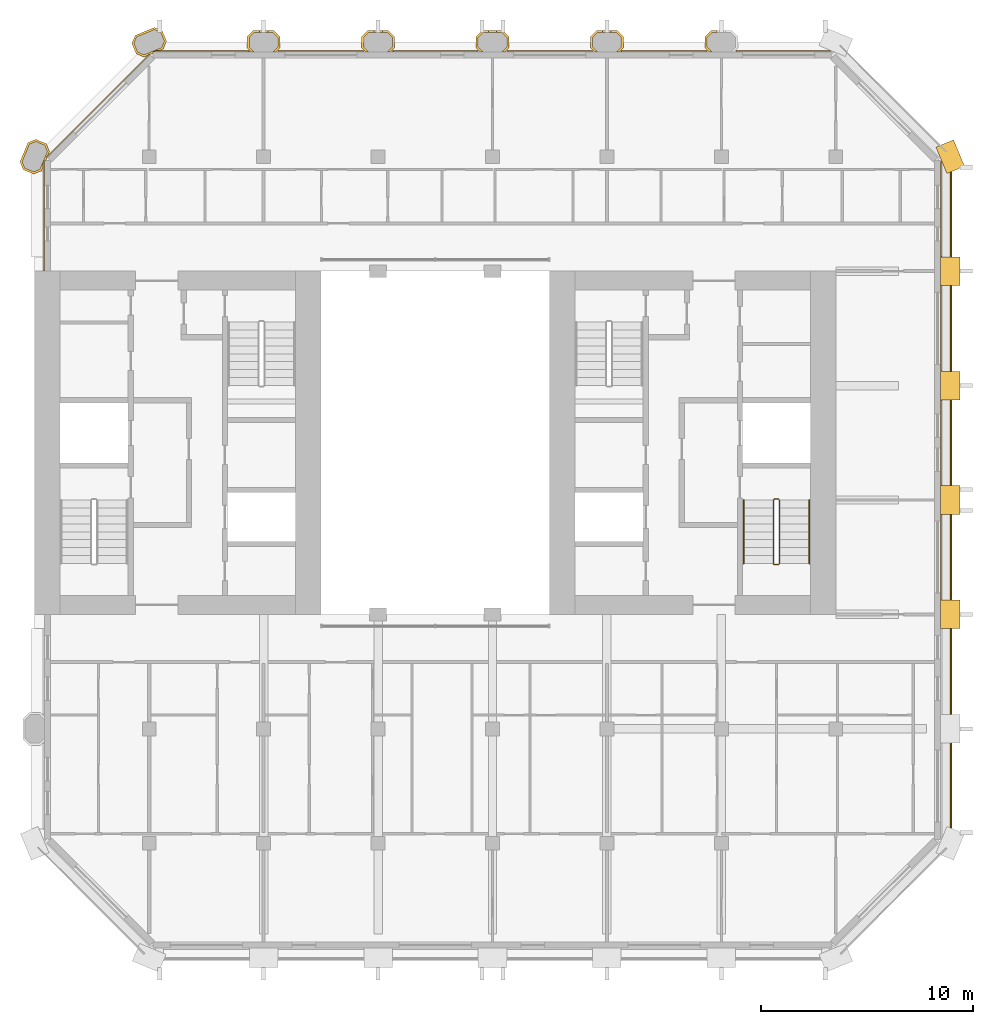
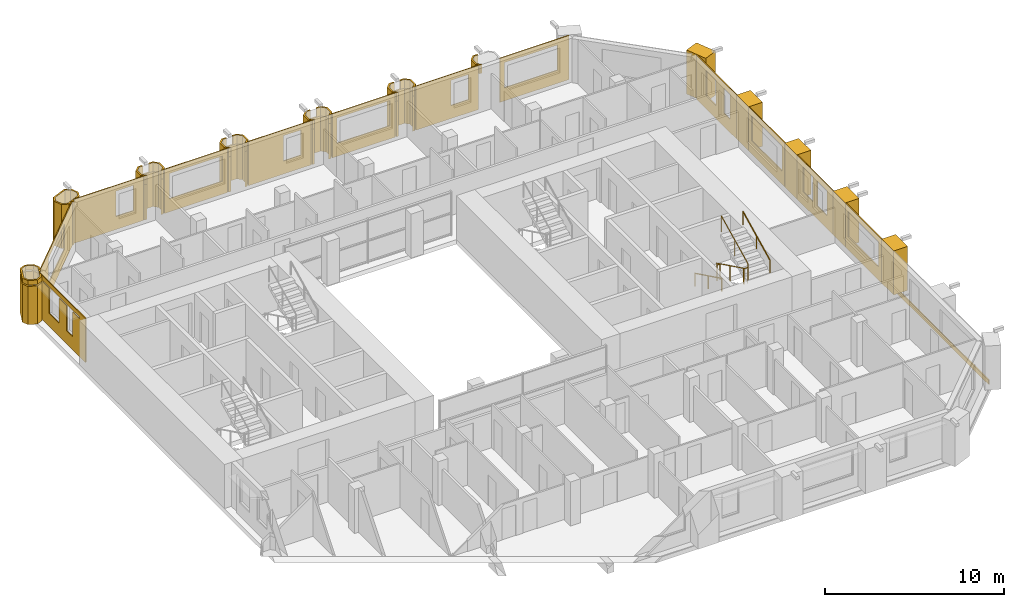
# One storey, part 13 of 14: 34 coverings, 3 railings.
"""IFC4 building model written with IfcOpenShell, lengths in metres."""

from ifc_helpers import new_model, si_unit, direction, frame, frame_2d, origin, origin_2d, place, context, subcontext, project, spatial, polyline, rectangle, circle, outline, extrude, material, layer, layer_set, type_object, element, save


model = new_model("IFC4")

# Units and contexts
model_context = context("Model", 3, precision=1e-05, world=origin(), true_north=direction((0.0, 1.0)))
body_context = subcontext(model_context, "Body", "Model", "MODEL_VIEW")
ifc_project = project(units=[si_unit("LENGTHUNIT", "METRE"), si_unit("AREAUNIT", "SQUARE_METRE"), si_unit("VOLUMEUNIT", "CUBIC_METRE"), si_unit("PLANEANGLEUNIT", "RADIAN"), si_unit("MASSUNIT", "GRAM", prefix="KILO")], contexts=[model_context])

# Site, building, storey
site_placement = place(None, origin())
site = spatial("IfcSite", under=ifc_project, at=site_placement, CompositionType="ELEMENT")
building_placement = place(site_placement, origin())
building = spatial("IfcBuilding", under=site, at=building_placement, Name="Tabaq Tower and Sports Hall", CompositionType="ELEMENT")
storey_placement = place(building_placement, frame((0.0, 0.0, 285.10009765625)))
storey = spatial("IfcBuildingStorey", under=building, at=storey_placement, Name="L70", CompositionType="ELEMENT", Elevation=285.10009765625)

# Coverings
ifc_material_1 = material(Name="Precast concrete C60/75", Category="concrete")
ifc_layer_1 = layer(ifc_material_1, 0.10009765625)
ifc_layer_set_1 = layer_set([ifc_layer_1], Name="Column cladding 100")
covering_type_1 = type_object("IfcCoveringType", Name="Column cladding 100", PredefinedType="CLADDING", material=ifc_layer_set_1)
covering_1_placement = place(storey_placement, origin())
element("IfcCovering", 1, at=covering_1_placement, inside=storey, type_object=covering_type_1, Name="Column cladding L70 PC-2H-R1", PredefinedType="CLADDING", context=body_context, shape_type="SweptSolid", body=[
    extrude(outline(polyline([(4.857421875, 37.186279296875), (4.7041015625, 37.556396484375), (5.080078125, 38.46435546875), (5.450439453125, 38.61767578125), (5.9423828125, 38.413818359375), (6.095947265625, 38.04345703125), (6.026123046875, 37.875), (5.9501953125, 37.799072265625), (5.9814453125, 37.767578125), (5.91796875, 37.614013671875), (5.849609375, 37.614013671875), (5.849609375, 37.55712890625), (5.789794921875, 37.55712890625), (5.789794921875, 37.304443359375), (5.7197265625, 37.1357421875), (5.349609375, 36.982421875), (4.857421875, 37.186279296875)]), holes=[polyline([(5.866455078125, 38.337646484375), (5.450439453125, 38.510009765625), (5.15625, 38.38818359375), (4.811767578125, 37.556396484375), (4.93359375, 37.26220703125), (5.349609375, 37.08984375), (5.643798828125, 37.2119140625), (5.98828125, 38.04345703125), (5.866455078125, 38.337646484375)])]), origin(), (0.0, 0.0, 1.0), 2.599853515625),
])
covering_2_placement = place(storey_placement, frame((0.0, 0.0, 2.699951171875)))
element("IfcCovering", 2, at=covering_2_placement, inside=storey, type_object=covering_type_1, Name="Column cladding L70 PC-2H-R1 2", PredefinedType="CLADDING", context=body_context, shape_type="SweptSolid", body=[
    extrude(outline(polyline([(4.857421875, 37.186279296875), (4.7041015625, 37.556396484375), (5.080078125, 38.46435546875), (5.450439453125, 38.61767578125), (5.9423828125, 38.413818359375), (6.095947265625, 38.04345703125), (6.026123046875, 37.875), (5.9501953125, 37.799072265625), (5.9814453125, 37.767578125), (5.91796875, 37.614013671875), (5.849609375, 37.614013671875), (5.849609375, 37.55712890625), (5.789794921875, 37.55712890625), (5.789794921875, 37.304443359375), (5.7197265625, 37.1357421875), (5.349609375, 36.982421875), (4.857421875, 37.186279296875)]), holes=[polyline([(5.866455078125, 38.337646484375), (5.450439453125, 38.510009765625), (5.15625, 38.38818359375), (4.811767578125, 37.556396484375), (4.93359375, 37.26220703125), (5.349609375, 37.08984375), (5.643798828125, 37.2119140625), (5.98828125, 38.04345703125), (5.866455078125, 38.337646484375)])]), origin(), (0.0, 0.0, 1.0), 0.300048828125),
])
covering_3_placement = place(storey_placement, origin())
element("IfcCovering", 3, at=covering_3_placement, inside=storey, type_object=covering_type_1, Name="Column cladding L70 PC-3I-R1", PredefinedType="CLADDING", context=body_context, shape_type="SweptSolid", body=[
    extrude(outline(polyline([(9.982421875, 43.149658203125), (10.1357421875, 43.519775390625), (11.04345703125, 43.895751953125), (11.413818359375, 43.742431640625), (11.61767578125, 43.25048828125), (11.46435546875, 42.880126953125), (11.295654296875, 42.810302734375), (11.04296875, 42.810302734375), (11.04296875, 42.750244140625), (10.986083984375, 42.750244140625), (10.986083984375, 42.68212890625), (10.83251953125, 42.618408203125), (10.801025390625, 42.64990234375), (10.72509765625, 42.573974609375), (10.556396484375, 42.504150390625), (10.186279296875, 42.657470703125), (9.982421875, 43.149658203125)]), holes=[polyline([(11.510009765625, 43.25048828125), (11.337646484375, 43.66650390625), (11.04345703125, 43.788330078125), (10.2119140625, 43.44384765625), (10.08984375, 43.149658203125), (10.26220703125, 42.733642578125), (10.556396484375, 42.61181640625), (11.38818359375, 42.956298828125), (11.510009765625, 43.25048828125)])]), origin(), (0.0, 0.0, 1.0), 3.0),
])
covering_4_placement = place(storey_placement, origin())
element("IfcCovering", 4, at=covering_4_placement, inside=storey, type_object=covering_type_1, Name="Column cladding L70 PC-4I-R1", PredefinedType="CLADDING", context=body_context, shape_type="SweptSolid", body=[
    extrude(outline(polyline([(15.42529296875, 43.46630859375), (15.708740234375, 43.749755859375), (16.69140625, 43.749755859375), (16.974609375, 43.46630859375), (16.974609375, 42.93359375), (16.791259765625, 42.750244140625), (16.650634765625, 42.750244140625), (16.875244140625, 42.974853515625), (16.875244140625, 43.425048828125), (16.650146484375, 43.650390625), (15.749755859375, 43.650390625), (15.524658203125, 43.425048828125), (15.524658203125, 42.974853515625), (15.749267578125, 42.750244140625), (15.608642578125, 42.750244140625), (15.42529296875, 42.93359375), (15.42529296875, 43.46630859375)])), origin(), (0.0, 0.0, 1.0), 2.39990234375),
])
covering_5_placement = place(storey_placement, frame((0.0, 0.0, 2.39990234375)))
element("IfcCovering", 5, at=covering_5_placement, inside=storey, type_object=covering_type_1, Name="Column cladding L70 PC-4I-R1 head", PredefinedType="CLADDING", context=body_context, shape_type="SweptSolid", body=[
    extrude(outline(polyline([(16.69140625, 43.749755859375), (16.974609375, 43.46630859375), (16.974609375, 42.93359375), (16.791259765625, 42.750244140625), (16.650634765625, 42.750244140625), (16.875244140625, 42.974853515625), (16.875244140625, 43.425048828125), (16.650146484375, 43.650390625), (16.400390625, 43.650390625), (16.400390625, 43.749755859375), (16.69140625, 43.749755859375)])), origin(), (0.0, 0.0, 1.0), 0.60009765625),
])
covering_6_placement = place(storey_placement, frame((0.0, 0.0, 2.39990234375)))
element("IfcCovering", 6, at=covering_6_placement, inside=storey, type_object=covering_type_1, Name="Column cladding L70 PC-4I-R1 head 2", PredefinedType="CLADDING", context=body_context, shape_type="SweptSolid", body=[
    extrude(outline(polyline([(15.708740234375, 43.749755859375), (15.999755859375, 43.749755859375), (15.999755859375, 43.650390625), (15.749755859375, 43.650390625), (15.524658203125, 43.425048828125), (15.524658203125, 42.974853515625), (15.749267578125, 42.750244140625), (15.608642578125, 42.750244140625), (15.42529296875, 42.93359375), (15.42529296875, 43.46630859375), (15.708740234375, 43.749755859375)])), origin(), (0.0, 0.0, 1.0), 0.60009765625),
])
covering_7_placement = place(storey_placement, origin())
element("IfcCovering", 7, at=covering_7_placement, inside=storey, type_object=covering_type_1, Name="Column cladding L70 PC-5I-R1", PredefinedType="CLADDING", context=body_context, shape_type="SweptSolid", body=[
    extrude(outline(polyline([(20.8251953125, 43.46630859375), (21.108642578125, 43.749755859375), (22.09130859375, 43.749755859375), (22.374755859375, 43.46630859375), (22.374755859375, 42.93359375), (22.19140625, 42.750244140625), (22.05078125, 42.750244140625), (22.275390625, 42.974853515625), (22.275390625, 43.425048828125), (22.050048828125, 43.650390625), (21.14990234375, 43.650390625), (20.9248046875, 43.425048828125), (20.9248046875, 42.974853515625), (21.149169921875, 42.750244140625), (21.0087890625, 42.750244140625), (20.8251953125, 42.93359375), (20.8251953125, 43.46630859375)])), origin(), (0.0, 0.0, 1.0), 2.39990234375),
])
covering_8_placement = place(storey_placement, frame((0.0, 0.0, 2.39990234375)))
element("IfcCovering", 8, at=covering_8_placement, inside=storey, type_object=covering_type_1, Name="Column cladding L70 PC-5I-R1 head", PredefinedType="CLADDING", context=body_context, shape_type="SweptSolid", body=[
    extrude(outline(polyline([(22.09130859375, 43.749755859375), (22.374755859375, 43.46630859375), (22.374755859375, 42.93359375), (22.19140625, 42.750244140625), (22.05078125, 42.750244140625), (22.275390625, 42.974853515625), (22.275390625, 43.425048828125), (22.050048828125, 43.650390625), (21.80029296875, 43.650390625), (21.80029296875, 43.749755859375), (22.09130859375, 43.749755859375)])), origin(), (0.0, 0.0, 1.0), 0.60009765625),
])
covering_9_placement = place(storey_placement, frame((0.0, 0.0, 2.39990234375)))
element("IfcCovering", 9, at=covering_9_placement, inside=storey, type_object=covering_type_1, Name="Column cladding L70 PC-5I-R1 head 2", PredefinedType="CLADDING", context=body_context, shape_type="SweptSolid", body=[
    extrude(outline(polyline([(21.108642578125, 43.749755859375), (21.399658203125, 43.749755859375), (21.399658203125, 43.650390625), (21.14990234375, 43.650390625), (20.9248046875, 43.425048828125), (20.9248046875, 42.974853515625), (21.149169921875, 42.750244140625), (21.0087890625, 42.750244140625), (20.8251953125, 42.93359375), (20.8251953125, 43.46630859375), (21.108642578125, 43.749755859375)])), origin(), (0.0, 0.0, 1.0), 0.60009765625),
])
covering_10_placement = place(storey_placement, origin())
element("IfcCovering", 10, at=covering_10_placement, inside=storey, type_object=covering_type_1, Name="Column cladding L70 PC-6I-R1", PredefinedType="CLADDING", context=body_context, shape_type="SweptSolid", body=[
    extrude(outline(polyline([(26.225341796875, 43.46630859375), (26.5087890625, 43.749755859375), (27.4912109375, 43.749755859375), (27.774658203125, 43.46630859375), (27.774658203125, 42.93359375), (27.59130859375, 42.750244140625), (27.45068359375, 42.750244140625), (27.67529296875, 42.974853515625), (27.67529296875, 43.425048828125), (27.4501953125, 43.650390625), (26.5498046875, 43.650390625), (26.32470703125, 43.425048828125), (26.32470703125, 42.974853515625), (26.54931640625, 42.750244140625), (26.40869140625, 42.750244140625), (26.225341796875, 42.93359375), (26.225341796875, 43.46630859375)])), origin(), (0.0, 0.0, 1.0), 2.39990234375),
])
covering_11_placement = place(storey_placement, frame((0.0, 0.0, 2.39990234375)))
element("IfcCovering", 11, at=covering_11_placement, inside=storey, type_object=covering_type_1, Name="Column cladding L70 PC-6I-R1 head", PredefinedType="CLADDING", context=body_context, shape_type="SweptSolid", body=[
    extrude(outline(polyline([(27.4912109375, 43.749755859375), (27.774658203125, 43.46630859375), (27.774658203125, 42.93359375), (27.59130859375, 42.750244140625), (27.45068359375, 42.750244140625), (27.67529296875, 42.974853515625), (27.67529296875, 43.425048828125), (27.4501953125, 43.650390625), (27.2001953125, 43.650390625), (27.2001953125, 43.749755859375), (27.4912109375, 43.749755859375)])), origin(), (0.0, 0.0, 1.0), 0.60009765625),
])
covering_12_placement = place(storey_placement, frame((0.0, 0.0, 2.39990234375)))
element("IfcCovering", 12, at=covering_12_placement, inside=storey, type_object=covering_type_1, Name="Column cladding L70 PC-6I-R1 head 2", PredefinedType="CLADDING", context=body_context, shape_type="SweptSolid", body=[
    extrude(outline(polyline([(26.5087890625, 43.749755859375), (26.7998046875, 43.749755859375), (26.7998046875, 43.650390625), (26.5498046875, 43.650390625), (26.32470703125, 43.425048828125), (26.32470703125, 42.974853515625), (26.54931640625, 42.750244140625), (26.40869140625, 42.750244140625), (26.225341796875, 42.93359375), (26.225341796875, 43.46630859375), (26.5087890625, 43.749755859375)])), origin(), (0.0, 0.0, 1.0), 0.60009765625),
])
covering_13_placement = place(storey_placement, origin())
element("IfcCovering", 13, at=covering_13_placement, inside=storey, type_object=covering_type_1, Name="Column cladding L70 PC-7I-R1", PredefinedType="CLADDING", context=body_context, shape_type="SweptSolid", body=[
    extrude(outline(polyline([(31.625244140625, 43.46630859375), (31.90869140625, 43.749755859375), (32.891357421875, 43.749755859375), (33.1748046875, 43.46630859375), (33.1748046875, 42.93359375), (32.9912109375, 42.750244140625), (32.850830078125, 42.750244140625), (33.0751953125, 42.974853515625), (33.0751953125, 43.425048828125), (32.85009765625, 43.650390625), (31.949951171875, 43.650390625), (31.724609375, 43.425048828125), (31.724609375, 42.974853515625), (31.94921875, 42.750244140625), (31.80859375, 42.750244140625), (31.625244140625, 42.93359375), (31.625244140625, 43.46630859375)])), origin(), (0.0, 0.0, 1.0), 2.39990234375),
])
covering_14_placement = place(storey_placement, frame((0.0, 0.0, 2.39990234375)))
element("IfcCovering", 14, at=covering_14_placement, inside=storey, type_object=covering_type_1, Name="Column cladding L70 PC-7I-R1 head", PredefinedType="CLADDING", context=body_context, shape_type="SweptSolid", body=[
    extrude(outline(polyline([(31.90869140625, 43.749755859375), (32.19970703125, 43.749755859375), (32.19970703125, 43.650390625), (31.949951171875, 43.650390625), (31.724609375, 43.425048828125), (31.724609375, 42.974853515625), (31.94921875, 42.750244140625), (31.80859375, 42.750244140625), (31.625244140625, 42.93359375), (31.625244140625, 43.46630859375), (31.90869140625, 43.749755859375)])), origin(), (0.0, 0.0, 1.0), 0.60009765625),
])
covering_15_placement = place(storey_placement, frame((0.0, 0.0, 2.39990234375)))
element("IfcCovering", 15, at=covering_15_placement, inside=storey, type_object=covering_type_1, Name="Column cladding L70 PC-7I-R1 head 2", PredefinedType="CLADDING", context=body_context, shape_type="SweptSolid", body=[
    extrude(outline(polyline([(32.891357421875, 43.749755859375), (33.1748046875, 43.46630859375), (33.1748046875, 42.93359375), (32.9912109375, 42.750244140625), (32.850830078125, 42.750244140625), (33.0751953125, 42.974853515625), (33.0751953125, 43.425048828125), (32.85009765625, 43.650390625), (32.600341796875, 43.650390625), (32.600341796875, 43.749755859375), (32.891357421875, 43.749755859375)])), origin(), (0.0, 0.0, 1.0), 0.60009765625),
])
covering_16_placement = place(storey_placement, frame((0.0, 0.0, 2.39990234375)))
element("IfcCovering", 16, at=covering_16_placement, inside=storey, type_object=covering_type_1, Name="Column cladding L70 PC-8I-R1 head", PredefinedType="CLADDING", context=body_context, shape_type="SweptSolid", body=[
    extrude(outline(polyline([(37.30859375, 43.749755859375), (37.599609375, 43.749755859375), (37.599609375, 43.650390625), (37.349853515625, 43.650390625), (37.124755859375, 43.425048828125), (37.124755859375, 42.974853515625), (37.349365234375, 42.750244140625), (37.208740234375, 42.750244140625), (37.025390625, 42.93359375), (37.025390625, 43.46630859375), (37.30859375, 43.749755859375)])), origin(), (0.0, 0.0, 1.0), 0.60009765625),
])
ifc_material_2 = material(Name="Precast concrete C60/75", Category="concrete")
ifc_layer_2 = layer(ifc_material_2, 0.06005859375)
ifc_layer_set_2 = layer_set([ifc_layer_2], Name="Edge beam cladding 60")
covering_type_2 = type_object("IfcCoveringType", Name="Edge beam cladding 60", PredefinedType="CLADDING", material=ifc_layer_set_2)
covering_17_placement = place(storey_placement, frame((48.6298828125, 5.698486328125, -0.300048828125), z_axis=(0.0, 0.0, 1.0), x_axis=(0.0, 1.0, 0.0)))
element("IfcCovering", 17, at=covering_17_placement, inside=storey, type_object=covering_type_2, Name="Edge beam cladding L70 3", PredefinedType="CLADDING", context=body_context, shape_type="SweptSolid", body=[
    extrude(rectangle(XDim=31.802978515625, YDim=0.06005859375, at=frame_2d((15.9013671875, 0.0))), origin(), (0.0, 0.0, 1.0), 0.300048828125),
])
ifc_material_3 = material(Name="White precast concrete C60/75", Category="concrete")
covering_type_3 = type_object("IfcCoveringType", Name="Pier cladding hung 1350x900", PredefinedType="CLADDING", material=ifc_material_3)
covering_18_placement = place(storey_placement, frame((48.60009765625, 15.52490234375, 0.0), z_axis=(0.0, 0.0, 1.0), x_axis=(0.0, 1.0, 0.0)))
element("IfcCovering", 18, at=covering_18_placement, inside=storey, type_object=covering_type_3, Name="Hung pier cladding 9/3", PredefinedType="CLADDING", context=body_context, shape_type="SweptSolid", body=[
    extrude(rectangle(XDim=1.35009765625, YDim=0.89990234375, at=frame_2d((0.675048828125, 0.0))), origin(), (0.0, 0.0, 1.0), 3.0),
])
covering_19_placement = place(storey_placement, frame((48.60009765625, 20.925048828125, 0.0), z_axis=(0.0, 0.0, 1.0), x_axis=(0.0, 1.0, 0.0)))
element("IfcCovering", 19, at=covering_19_placement, inside=storey, type_object=covering_type_3, Name="Hung pier cladding 9/4", PredefinedType="CLADDING", context=body_context, shape_type="SweptSolid", body=[
    extrude(rectangle(XDim=1.349853515625, YDim=0.89990234375, at=frame_2d((0.6748046875, 0.0))), origin(), (0.0, 0.0, 1.0), 3.0),
])
covering_20_placement = place(storey_placement, frame((48.60009765625, 26.324951171875, 0.0), z_axis=(0.0, 0.0, 1.0), x_axis=(0.0, 1.0, 0.0)))
element("IfcCovering", 20, at=covering_20_placement, inside=storey, type_object=covering_type_3, Name="Hung pier cladding 9/5", PredefinedType="CLADDING", context=body_context, shape_type="SweptSolid", body=[
    extrude(rectangle(XDim=1.35009765625, YDim=0.89990234375, at=frame_2d((0.675048828125, 0.0))), origin(), (0.0, 0.0, 1.0), 3.0),
])
covering_21_placement = place(storey_placement, frame((48.60009765625, 31.72509765625, 0.0), z_axis=(0.0, 0.0, 1.0), x_axis=(0.0, 1.0, 0.0)))
element("IfcCovering", 21, at=covering_21_placement, inside=storey, type_object=covering_type_3, Name="Hung pier cladding 9/6", PredefinedType="CLADDING", context=body_context, shape_type="SweptSolid", body=[
    extrude(rectangle(XDim=1.349853515625, YDim=0.89990234375, at=frame_2d((0.6748046875, 0.0))), origin(), (0.0, 0.0, 1.0), 3.0),
])
covering_22_placement = place(storey_placement, frame((48.8583984375, 37.17626953125, 0.0), z_axis=(0.0, 0.0, 1.0), x_axis=(-0.382649923473, 0.923893411637, 0.0)))
element("IfcCovering", 22, at=covering_22_placement, inside=storey, type_object=covering_type_3, Name="Hung pier cladding 9/7", PredefinedType="CLADDING", context=body_context, shape_type="SweptSolid", body=[
    extrude(rectangle(XDim=1.35009765625, YDim=0.89990234375, at=frame_2d((0.675048828125, 0.0))), origin(), (0.0, 0.0, 1.0), 3.0),
])

# Railings
ifc_material_4 = material(Name="Stainless steel", Category="steel")
railing_type_1 = type_object("IfcRailingType", Name="Stair guard", PredefinedType="GUARDRAIL", material=ifc_material_4)
railing_1_placement = place(storey_placement, frame((40.5, 21.64990234375, 0.0)))
element("IfcRailing", 23, at=railing_1_placement, inside=storey, type_object=railing_type_1, Name="L70 ST3 stair guard 1", PredefinedType="GUARDRAIL", context=body_context, shape_type="SweptSolid", body=[
    extrude(circle(Radius=0.02392578125, at=origin_2d()), frame((0.0, 0.0, 1.076171875), z_axis=(-1.0, 0.0, 0.0), x_axis=(0.0, -1.0, 0.0)), (0.0, 0.0, 1.0), 0.199951171875),
    extrude(circle(Radius=0.02392578125, at=origin_2d()), frame((-0.199951171875, 0.0, 1.076171875), z_axis=(-0.254733673405, -0.25349107012, 0.933195066962), x_axis=(0.705375805398, -0.708833529934, 0.0)), (0.0, 0.0, 1.0), 0.196533203125),
    extrude(circle(Radius=0.02392578125, at=origin_2d()), frame((-0.25, -0.0498046875, 1.25927734375), z_axis=(0.0, -0.898397823093, 0.439182594671), x_axis=(1.0, 0.0, 0.0)), (0.0, 0.0, 1.0), 3.33935546875),
    extrude(circle(Radius=0.02392578125, at=origin_2d()), frame((-0.25, -3.0498046875, 2.72607421875), z_axis=(0.707106781187, -0.707106781187, 0.0), x_axis=(0.707106781187, 0.707106781187, 0.0)), (0.0, 0.0, 1.0), 0.07080078125),
    extrude(circle(Radius=0.02392578125, at=origin_2d()), frame((-0.199951171875, -3.099853515625, 2.72607421875), z_axis=(1.0, 0.0, 0.0), x_axis=(0.0, 1.0, 0.0)), (0.0, 0.0, 1.0), 0.199951171875),
    extrude(circle(Radius=0.02392578125, at=origin_2d()), frame((0.0, -3.099853515625, 2.72607421875), z_axis=(0.254653276557, 0.254653276557, 0.932900539971), x_axis=(-0.707106781187, 0.707106781187, 0.0)), (0.0, 0.0, 1.0), 0.196533203125),
    extrude(circle(Radius=0.02392578125, at=origin_2d()), frame((0.050048828125, -3.0498046875, 2.9091796875), z_axis=(0.0, 0.898397823093, 0.439182594671), x_axis=(-1.0, 0.0, 0.0)), (0.0, 0.0, 1.0), 3.33935546875),
    extrude(circle(Radius=0.02099609375, at=origin_2d()), origin(), (0.0, 0.0, 1.0), 1.052001953125),
    extrude(circle(Radius=0.02099609375, at=origin_2d()), frame((-0.199951171875, 0.0, 0.0)), (0.0, 0.0, 1.0), 1.052001953125),
    extrude(circle(Radius=0.02099609375, at=origin_2d()), frame((-0.25, -0.0498046875, 0.183349609375)), (0.0, 0.0, 1.0), 1.052001953125),
    extrude(circle(Radius=0.02099609375, at=origin_2d()), frame((-0.25, -1.5498046875, 0.91650390625)), (0.0, 0.0, 1.0), 1.052001953125),
    extrude(circle(Radius=0.02099609375, at=origin_2d()), frame((-0.25, -3.0498046875, 1.64990234375)), (0.0, 0.0, 1.0), 1.052001953125),
    extrude(circle(Radius=0.02099609375, at=origin_2d()), frame((-0.199951171875, -3.099853515625, 1.64990234375)), (0.0, 0.0, 1.0), 1.052001953125),
    extrude(circle(Radius=0.02099609375, at=origin_2d()), frame((0.0, -3.099853515625, 1.64990234375)), (0.0, 0.0, 1.0), 1.052001953125),
    extrude(circle(Radius=0.02099609375, at=origin_2d()), frame((0.050048828125, -3.0498046875, 1.833251953125)), (0.0, 0.0, 1.0), 1.052001953125),
    extrude(circle(Radius=0.02099609375, at=origin_2d()), frame((0.050048828125, -1.5498046875, 2.56640625)), (0.0, 0.0, 1.0), 1.052001953125),
    extrude(circle(Radius=0.02099609375, at=origin_2d()), frame((0.050048828125, -0.0498046875, 3.2998046875)), (0.0, 0.0, 1.0), 1.052001953125),
])
ifc_material_5 = material(Name="Stainless steel", Category="steel")
railing_type_2 = type_object("IfcRailingType", Name="Stair handrail", PredefinedType="HANDRAIL", material=ifc_material_5)
railing_2_placement = place(storey_placement, frame((38.85009765625, 21.60009765625, 0.183349609375)))
element("IfcRailing", 24, at=railing_2_placement, inside=storey, type_object=railing_type_2, Name="L70 ST3 stair handrail 1", PredefinedType="HANDRAIL", context=body_context, shape_type="SweptSolid", body=[
    extrude(circle(Radius=0.02392578125, at=origin_2d()), frame((0.0, 0.0, 0.8759765625), z_axis=(0.0, -0.898397823093, 0.439182594671), x_axis=(1.0, 0.0, 0.0)), (0.0, 0.0, 1.0), 3.33935546875),
    extrude(circle(Radius=0.02099609375, at=origin_2d()), origin(), (0.0, 0.0, 1.0), 0.851806640625),
    extrude(circle(Radius=0.02099609375, at=origin_2d()), frame((0.0, -1.5, 0.7333984375)), (0.0, 0.0, 1.0), 0.851806640625),
    extrude(circle(Radius=0.02099609375, at=origin_2d()), frame((0.0, -3.0, 1.466552734375)), (0.0, 0.0, 1.0), 0.851806640625),
])
railing_3_placement = place(storey_placement, frame((41.949951171875, 18.60009765625, 1.833251953125)))
element("IfcRailing", 25, at=railing_3_placement, inside=storey, type_object=railing_type_2, Name="L70 ST3 stair handrail 2", PredefinedType="HANDRAIL", context=body_context, shape_type="SweptSolid", body=[
    extrude(circle(Radius=0.02392578125, at=origin_2d()), frame((0.0, 0.0, 0.8759765625), z_axis=(0.0, 0.898397823093, 0.439182594671), x_axis=(-1.0, 0.0, 0.0)), (0.0, 0.0, 1.0), 3.33935546875),
    extrude(circle(Radius=0.02099609375, at=origin_2d()), origin(), (0.0, 0.0, 1.0), 0.851806640625),
    extrude(circle(Radius=0.02099609375, at=origin_2d()), frame((0.0, 1.5, 0.7333984375)), (0.0, 0.0, 1.0), 0.851806640625),
    extrude(circle(Radius=0.02099609375, at=origin_2d()), frame((0.0, 3.0, 1.466552734375)), (0.0, 0.0, 1.0), 0.851806640625),
])

# Coverings
ifc_material_6 = material(Name="Precast concrete C60/75", Category="concrete")
ifc_layer_3 = layer(ifc_material_6, 0.06005859375)
ifc_layer_set_3 = layer_set([ifc_layer_3], Name="White precast cladding panel 60 C60/75")
covering_type_4 = type_object("IfcCoveringType", Name="White precast cladding panel 60 C60/75", PredefinedType="CLADDING", material=ifc_layer_set_3)
covering_23_placement = place(storey_placement, frame((48.179931640625, 16.885009765625, 0.0), z_axis=(0.0, 0.0, 1.0), x_axis=(0.0, 1.0, 0.0)))
element("IfcCovering", 26, at=covering_23_placement, inside=storey, type_object=covering_type_4, Name="White precast cladding panel L70 wall02 3", PredefinedType="CLADDING", context=body_context, shape_type="SweptSolid", body=[
    extrude(outline(polyline([(0.0, 0.0), (4.030029296875, 0.0), (4.030029296875, 3.0), (0.0, 3.0), (0.0, 0.0)]), holes=[polyline([(0.304931640625, 0.889892578125), (0.304931640625, 2.60986328125), (3.72509765625, 2.60986328125), (3.72509765625, 0.889892578125), (0.304931640625, 0.889892578125)])]), frame((0.0, 0.030029296875, 0.0), z_axis=(0.0, -1.0, 0.0), x_axis=(1.0, 0.0, 0.0)), (0.0, 0.0, 1.0), 0.06005859375),
])
covering_24_placement = place(storey_placement, frame((48.179931640625, 22.284912109375, 0.0), z_axis=(0.0, 0.0, 1.0), x_axis=(0.0, 1.0, 0.0)))
element("IfcCovering", 27, at=covering_24_placement, inside=storey, type_object=covering_type_4, Name="White precast cladding panel L70 wall02 4", PredefinedType="CLADDING", context=body_context, shape_type="SweptSolid", body=[
    extrude(outline(polyline([(0.0, 0.0), (4.030029296875, 0.0), (4.030029296875, 3.0), (0.0, 3.0), (0.0, 0.0)]), holes=[polyline([(0.655029296875, 2.60986328125), (1.77490234375, 2.60986328125), (1.77490234375, 0.889892578125), (0.655029296875, 0.889892578125), (0.655029296875, 2.60986328125)]), polyline([(2.2548828125, 2.60986328125), (3.375, 2.60986328125), (3.375, 0.889892578125), (2.2548828125, 0.889892578125), (2.2548828125, 2.60986328125)])]), frame((0.0, 0.030029296875, 0.0), z_axis=(0.0, -1.0, 0.0), x_axis=(1.0, 0.0, 0.0)), (0.0, 0.0, 1.0), 0.06005859375),
])
covering_25_placement = place(storey_placement, frame((48.179931640625, 27.68505859375, 0.0), z_axis=(0.0, 0.0, 1.0), x_axis=(0.0, 1.0, 0.0)))
element("IfcCovering", 28, at=covering_25_placement, inside=storey, type_object=covering_type_4, Name="White precast cladding panel L70 wall02 5", PredefinedType="CLADDING", context=body_context, shape_type="SweptSolid", body=[
    extrude(outline(polyline([(0.0, 0.0), (4.030029296875, 0.0), (4.030029296875, 3.0), (0.0, 3.0), (0.0, 0.0)]), holes=[polyline([(0.304931640625, 0.889892578125), (0.304931640625, 2.60986328125), (3.72509765625, 2.60986328125), (3.72509765625, 0.889892578125), (0.304931640625, 0.889892578125)])]), frame((0.0, 0.030029296875, 0.0), z_axis=(0.0, -1.0, 0.0), x_axis=(1.0, 0.0, 0.0)), (0.0, 0.0, 1.0), 0.06005859375),
])
covering_26_placement = place(storey_placement, frame((48.179931640625, 33.0849609375, 0.0), z_axis=(0.0, 0.0, 1.0), x_axis=(0.0, 1.0, 0.0)))
element("IfcCovering", 29, at=covering_26_placement, inside=storey, type_object=covering_type_4, Name="White precast cladding panel L70 wall02 6", PredefinedType="CLADDING", context=body_context, shape_type="SweptSolid", body=[
    extrude(outline(polyline([(0.0, 0.0), (4.471923828125, 0.0), (4.471923828125, 3.0), (0.0, 3.0), (0.0, 0.0)]), holes=[polyline([(0.72998046875, 2.60986328125), (1.39990234375, 2.60986328125), (1.39990234375, 0.889892578125), (0.72998046875, 0.889892578125), (0.72998046875, 2.60986328125)]), polyline([(2.2548828125, 2.60986328125), (3.375, 2.60986328125), (3.375, 0.889892578125), (2.2548828125, 0.889892578125), (2.2548828125, 2.60986328125)])]), frame((0.0, 0.030029296875, 0.0), z_axis=(0.0, -1.0, 0.0), x_axis=(1.0, 0.0, 0.0)), (0.0, 0.0, 1.0), 0.06005859375),
])
covering_27_placement = place(storey_placement, frame((42.956787109375, 42.780029296875, 0.0), z_axis=(0.0, 0.0, 1.0), x_axis=(-1.0, 0.0, 0.0)))
element("IfcCovering", 30, at=covering_27_placement, inside=storey, type_object=covering_type_4, Name="White precast cladding panel L70 wall04", PredefinedType="CLADDING", context=body_context, shape_type="SweptSolid", body=[
    extrude(outline(polyline([(0.0, 0.0), (4.4716796875, 0.0), (4.4716796875, 3.0), (0.0, 3.0), (0.0, 0.0)]), holes=[polyline([(0.746826171875, 0.889892578125), (0.746826171875, 2.60986328125), (4.166748046875, 2.60986328125), (4.166748046875, 0.889892578125), (0.746826171875, 0.889892578125)])]), frame((0.0, 0.030029296875, 0.0), z_axis=(0.0, -1.0, 0.0), x_axis=(1.0, 0.0, 0.0)), (0.0, 0.0, 1.0), 0.06005859375),
])
covering_28_placement = place(storey_placement, frame((37.114990234375, 42.780029296875, 0.0), z_axis=(0.0, 0.0, 1.0), x_axis=(-1.0, 0.0, 0.0)))
element("IfcCovering", 31, at=covering_28_placement, inside=storey, type_object=covering_type_4, Name="White precast cladding panel L70 wall04 2", PredefinedType="CLADDING", context=body_context, shape_type="SweptSolid", body=[
    extrude(outline(polyline([(0.0, 0.0), (4.030029296875, 0.0), (4.030029296875, 3.0), (0.0, 3.0), (0.0, 0.0)]), holes=[polyline([(0.655029296875, 0.889892578125), (0.655029296875, 2.60986328125), (1.77490234375, 2.60986328125), (1.77490234375, 0.889892578125), (0.655029296875, 0.889892578125)])]), frame((0.0, 0.030029296875, 0.0), z_axis=(0.0, -1.0, 0.0), x_axis=(1.0, 0.0, 0.0)), (0.0, 0.0, 1.0), 0.06005859375),
])
covering_29_placement = place(storey_placement, frame((31.715087890625, 42.780029296875, 0.0), z_axis=(0.0, 0.0, 1.0), x_axis=(-1.0, 0.0, 0.0)))
element("IfcCovering", 32, at=covering_29_placement, inside=storey, type_object=covering_type_4, Name="White precast cladding panel L70 wall04 3", PredefinedType="CLADDING", context=body_context, shape_type="SweptSolid", body=[
    extrude(outline(polyline([(0.0, 0.0), (4.030029296875, 0.0), (4.030029296875, 3.0), (0.0, 3.0), (0.0, 0.0)]), holes=[polyline([(0.304931640625, 0.889892578125), (0.304931640625, 2.60986328125), (3.72509765625, 2.60986328125), (3.72509765625, 0.889892578125), (0.304931640625, 0.889892578125)])]), frame((0.0, 0.030029296875, 0.0), z_axis=(0.0, -1.0, 0.0), x_axis=(1.0, 0.0, 0.0)), (0.0, 0.0, 1.0), 0.06005859375),
])
covering_30_placement = place(storey_placement, frame((26.31494140625, 42.780029296875, 0.0), z_axis=(0.0, 0.0, 1.0), x_axis=(-1.0, 0.0, 0.0)))
element("IfcCovering", 33, at=covering_30_placement, inside=storey, type_object=covering_type_4, Name="White precast cladding panel L70 wall04 4", PredefinedType="CLADDING", context=body_context, shape_type="SweptSolid", body=[
    extrude(outline(polyline([(0.0, 0.0), (4.030029296875, 0.0), (4.030029296875, 3.0), (0.0, 3.0), (0.0, 0.0)]), holes=[polyline([(0.655029296875, 0.889892578125), (0.655029296875, 2.60986328125), (1.77490234375, 2.60986328125), (1.77490234375, 0.889892578125), (0.655029296875, 0.889892578125)])]), frame((0.0, 0.030029296875, 0.0), z_axis=(0.0, -1.0, 0.0), x_axis=(1.0, 0.0, 0.0)), (0.0, 0.0, 1.0), 0.06005859375),
])
covering_31_placement = place(storey_placement, frame((20.9150390625, 42.780029296875, 0.0), z_axis=(0.0, 0.0, 1.0), x_axis=(-1.0, 0.0, 0.0)))
element("IfcCovering", 34, at=covering_31_placement, inside=storey, type_object=covering_type_4, Name="White precast cladding panel L70 wall04 5", PredefinedType="CLADDING", context=body_context, shape_type="SweptSolid", body=[
    extrude(outline(polyline([(0.0, 0.0), (4.030029296875, 0.0), (4.030029296875, 3.0), (0.0, 3.0), (0.0, 0.0)]), holes=[polyline([(0.304931640625, 0.889892578125), (0.304931640625, 2.60986328125), (3.72509765625, 2.60986328125), (3.72509765625, 0.889892578125), (0.304931640625, 0.889892578125)])]), frame((0.0, 0.030029296875, 0.0), z_axis=(0.0, -1.0, 0.0), x_axis=(1.0, 0.0, 0.0)), (0.0, 0.0, 1.0), 0.06005859375),
])
covering_32_placement = place(storey_placement, frame((15.514892578125, 42.780029296875, 0.0), z_axis=(0.0, 0.0, 1.0), x_axis=(-1.0, 0.0, 0.0)))
element("IfcCovering", 35, at=covering_32_placement, inside=storey, type_object=covering_type_4, Name="White precast cladding panel L70 wall04 6", PredefinedType="CLADDING", context=body_context, shape_type="SweptSolid", body=[
    extrude(outline(polyline([(0.0, 0.0), (4.4716796875, 0.0), (4.4716796875, 3.0), (0.0, 3.0), (0.0, 0.0)]), holes=[polyline([(0.655029296875, 0.889892578125), (0.655029296875, 2.60986328125), (1.77490234375, 2.60986328125), (1.77490234375, 0.889892578125), (0.655029296875, 0.889892578125)])]), frame((0.0, 0.030029296875, 0.0), z_axis=(0.0, -1.0, 0.0), x_axis=(1.0, 0.0, 0.0)), (0.0, 0.0, 1.0), 0.06005859375),
])
covering_33_placement = place(storey_placement, frame((10.822265625, 42.628173828125, 0.0), z_axis=(0.0, 0.0, 1.0), x_axis=(-0.707124576528, -0.707088985397, 0.0)))
element("IfcCovering", 36, at=covering_33_placement, inside=storey, type_object=covering_type_4, Name="White precast cladding panel L70 wall05", PredefinedType="CLADDING", context=body_context, shape_type="SweptSolid", body=[
    extrude(outline(polyline([(0.0, 0.0), (6.859619140625, 0.0), (6.859619140625, 3.0), (0.0, 3.0), (0.0, 0.0)]), holes=[polyline([(1.7197265625, 0.889892578125), (1.7197265625, 2.60986328125), (5.139892578125, 2.60986328125), (5.139892578125, 0.889892578125), (1.7197265625, 0.889892578125)])]), frame((0.0, 0.030029296875, 0.0), z_axis=(0.0, -1.0, 0.0), x_axis=(1.0, 0.0, 0.0)), (0.0, 0.0, 1.0), 0.06005859375),
])
covering_34_placement = place(storey_placement, frame((5.820068359375, 37.556884765625, 0.0), z_axis=(0.0, 0.0, 1.0), x_axis=(0.0, -1.0, 0.0)))
element("IfcCovering", 37, at=covering_34_placement, inside=storey, type_object=covering_type_4, Name="White precast cladding panel L70 wall06", PredefinedType="CLADDING", context=body_context, shape_type="SweptSolid", body=[
    extrude(outline(polyline([(0.0, 0.0), (5.156982421875, 0.0), (5.156982421875, 3.0), (0.0, 3.0), (0.0, 0.0)]), holes=[polyline([(1.096923828125, 2.58984375), (0.421875, 2.58984375), (0.421875, 2.7099609375), (4.491943359375, 2.7099609375), (4.491943359375, 2.58984375), (3.741943359375, 2.58984375), (3.741943359375, 0.889892578125), (3.07177734375, 0.889892578125), (3.07177734375, 2.58984375), (2.216796875, 2.58984375), (2.216796875, 0.889892578125), (1.096923828125, 0.889892578125), (1.096923828125, 2.58984375)])]), frame((0.0, 0.030029296875, 0.0), z_axis=(0.0, -1.0, 0.0), x_axis=(1.0, 0.0, 0.0)), (0.0, 0.0, 1.0), 0.06005859375),
])

save(model, "model.ifc")
